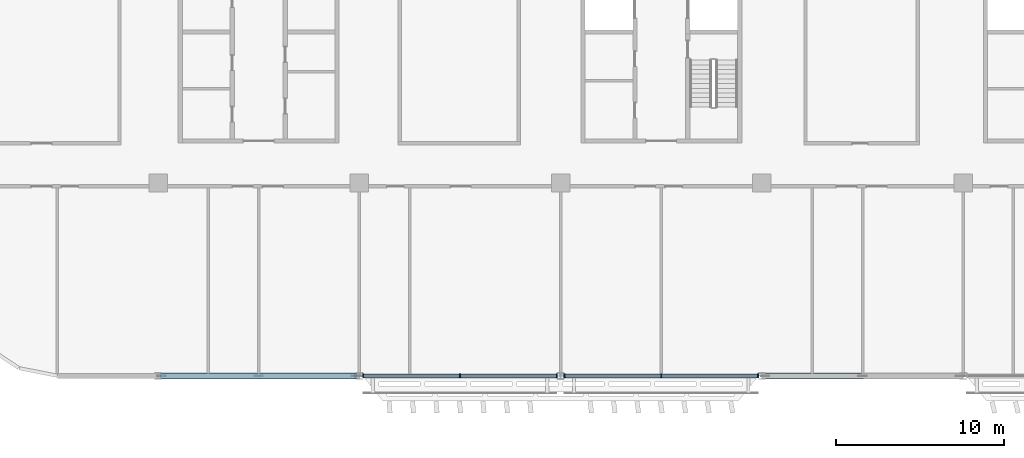
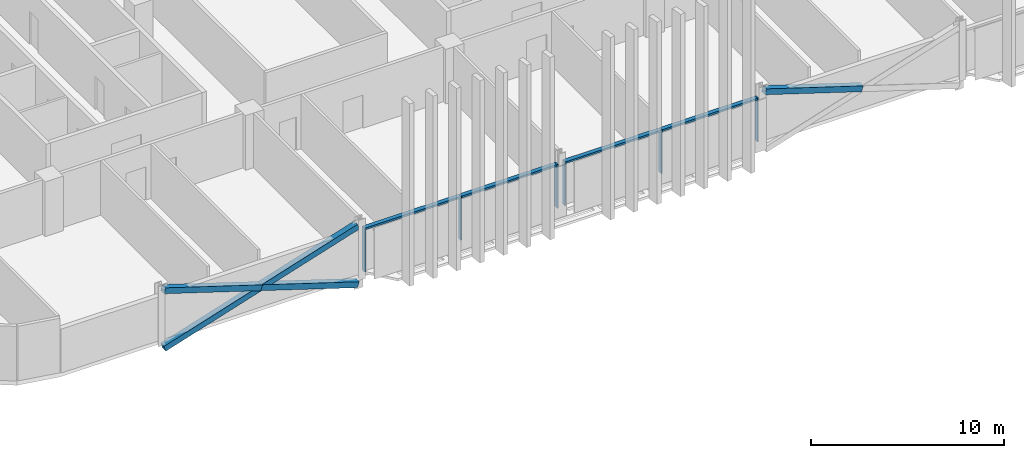
# One storey, part 3 of 28: 14 members, 2 elements without a shape of their own.
"""IFC4 building model written with IfcOpenShell, lengths in metres."""

from ifc_helpers import new_model, si_unit, direction, frame, origin, origin_2d, place, context, subcontext, project, spatial, rectangle, hollow_rectangle, extrude, material, material_profile, profile_set, type_object, element, aggregate, save


model = new_model("IFC4")

# Units and contexts
model_context = context("Model", 3, precision=1e-05, world=origin(), true_north=direction((0.0, 1.0)))
body_context = subcontext(model_context, "Body", "Model", "MODEL_VIEW")
ifc_project = project(units=[si_unit("LENGTHUNIT", "METRE"), si_unit("AREAUNIT", "SQUARE_METRE"), si_unit("VOLUMEUNIT", "CUBIC_METRE"), si_unit("PLANEANGLEUNIT", "RADIAN"), si_unit("MASSUNIT", "GRAM", prefix="KILO")], contexts=[model_context])

# Site, building, storey
site_placement = place(None, origin())
site = spatial("IfcSite", under=ifc_project, at=site_placement, CompositionType="ELEMENT")
building_placement = place(site_placement, origin())
building = spatial("IfcBuilding", under=site, at=building_placement, Name="Mahtab Terrace Research Tower", CompositionType="ELEMENT")
storey_placement = place(building_placement, frame((0.0, 0.0, 193.89990234375)))
storey = spatial("IfcBuildingStorey", under=building, at=storey_placement, Name="L46", CompositionType="ELEMENT", Elevation=193.89990234375)

# Members
ifc_material_1 = material(Name="Steel ASTM A500 Gr C", Category="steel")
ifc_material_profile_1 = material_profile(ifc_material_1, hollow_rectangle(XDim=0.355712890625, YDim=0.355712890625, WallThickness=0.015869140625, at=origin_2d()), Name="HSS14X14X5/8")
ifc_profile_set_1 = profile_set([ifc_material_profile_1], Name="Steel ASTM A500 Gr C")
member_type_1 = type_object("IfcMemberType", Name="HSS 14x14x5/8 brace XB141458", PredefinedType="BRACE", material=ifc_profile_set_1)
member_1_placement = place(storey_placement, frame((-29.79931640625, -23.0, -0.615478515625), z_axis=(0.953343380425, 0.0, 0.301888057067), x_axis=(0.0, 1.0, 0.0)))
element("IfcMember", 1, at=member_1_placement, inside=storey, type_object=member_type_1, Name="Exoskeleton brace L46 14 a", PredefinedType="BRACE", context=body_context, shape_type="SweptSolid", body=[
    extrude(hollow_rectangle(XDim=0.355712890625, YDim=0.355712890625, WallThickness=0.015869140625, at=origin_2d()), origin(), (0.0, 0.0, 1.0), 12.166259765625),
])
for number, where, z_axis, x_axis, name in (
    (2, (-18.20068359375, -23.0, -0.615478515625), (-0.953343380425, 0.0, 0.301888057067), (0.0, -1.0, 0.0), "Exoskeleton brace L46 14 b1"),
    (3, (-24.0, -23.0, 1.220947265625), (-0.953343380425, 0.0, 0.301888057067), (0.0, -1.0, 0.0), "Exoskeleton brace L46 14 b2"),
    (4, (12.0, -23.0, 1.220947265625), (-0.953343380425, 0.0, 0.301888057067), (0.0, -1.0, 0.0), "Exoskeleton brace L46 17 b2"),
):
    element("IfcMember", number, at=place(storey_placement, frame(where, z_axis=z_axis, x_axis=x_axis)), inside=storey, type_object=member_type_1, Name=name, PredefinedType="BRACE", context=body_context, shape_type="SweptSolid", body=[
        extrude(hollow_rectangle(XDim=0.355712890625, YDim=0.355712890625, WallThickness=0.015869140625, at=origin_2d()), origin(), (0.0, 0.0, 1.0), 6.083251953125),
    ])

# Curtain wall, members
ifc_material_2 = material(Name="Sky lounge full-height curtain wall")
curtain_wall_type = type_object("IfcCurtainWallType", Name="Sky lounge full-height curtain wall", PredefinedType="NOTDEFINED", material=ifc_material_2)
curtain_wall_1_placement = place(storey_placement, origin())
curtain_wall_1 = element("IfcCurtainWall", 5, at=curtain_wall_1_placement, inside=storey, type_object=curtain_wall_type, Name="EN.L46.13.25", PredefinedType="NOTDEFINED")
ifc_material_3 = material(Name="Natural anodised aluminium", Category="aluminium")
ifc_material_profile_2 = material_profile(ifc_material_3, rectangle(XDim=0.25, YDim=0.070068359375, at=origin_2d()), Name="MULLION 70x250")
ifc_profile_set_2 = profile_set([ifc_material_profile_2], Name="Natural anodised aluminium")
member_type_2 = type_object("IfcMemberType", Name="Sky lounge full-height curtain wall mullion", PredefinedType="MULLION", material=ifc_profile_set_2)
member_2_placement = place(storey_placement, frame((-17.764892578125, -23.0, 0.0), z_axis=(0.0, 0.0, 1.0), x_axis=(0.0, 1.0, 0.0)))
member_2 = element("IfcMember", 6, at=member_2_placement, type_object=member_type_2, Name="CWS-6 mullion 1", PredefinedType="MULLION", context=body_context, shape_type="SweptSolid", body=[
    extrude(rectangle(XDim=0.25, YDim=0.070068359375, at=origin_2d()), origin(), (0.0, 0.0, 1.0), 2.781982421875),
])
member_3_placement = place(storey_placement, frame((-12.0, -23.0, 0.0), z_axis=(0.0, 0.0, 1.0), x_axis=(0.0, 1.0, 0.0)))
member_3 = element("IfcMember", 7, at=member_3_placement, type_object=member_type_2, Name="CWS-6 mullion 2", PredefinedType="MULLION", context=body_context, shape_type="SweptSolid", body=[
    extrude(rectangle(XDim=0.25, YDim=0.070068359375, at=origin_2d()), origin(), (0.0, 0.0, 1.0), 2.781982421875),
])
member_4_placement = place(storey_placement, frame((-6.235107421875, -23.0, 0.0), z_axis=(0.0, 0.0, 1.0), x_axis=(0.0, 1.0, 0.0)))
member_4 = element("IfcMember", 8, at=member_4_placement, type_object=member_type_2, Name="CWS-6 mullion 3", PredefinedType="MULLION", context=body_context, shape_type="SweptSolid", body=[
    extrude(rectangle(XDim=0.25, YDim=0.070068359375, at=origin_2d()), origin(), (0.0, 0.0, 1.0), 2.781982421875),
])

curtain_wall_2_placement = place(storey_placement, origin())
curtain_wall_2 = element("IfcCurtainWall", 9, at=curtain_wall_2_placement, inside=storey, type_object=curtain_wall_type, Name="EN.L46.13.26", PredefinedType="NOTDEFINED")
member_5_placement = place(storey_placement, frame((-5.764892578125, -23.0, 0.0), z_axis=(0.0, 0.0, 1.0), x_axis=(0.0, 1.0, 0.0)))
member_5 = element("IfcMember", 10, at=member_5_placement, type_object=member_type_2, Name="CWS-6 mullion 1", PredefinedType="MULLION", context=body_context, shape_type="SweptSolid", body=[
    extrude(rectangle(XDim=0.25, YDim=0.070068359375, at=origin_2d()), origin(), (0.0, 0.0, 1.0), 2.781982421875),
])
member_6_placement = place(storey_placement, frame((0.0, -23.0, 0.0), z_axis=(0.0, 0.0, 1.0), x_axis=(0.0, 1.0, 0.0)))
member_6 = element("IfcMember", 11, at=member_6_placement, type_object=member_type_2, Name="CWS-6 mullion 2", PredefinedType="MULLION", context=body_context, shape_type="SweptSolid", body=[
    extrude(rectangle(XDim=0.25, YDim=0.070068359375, at=origin_2d()), origin(), (0.0, 0.0, 1.0), 2.781982421875),
])
member_7_placement = place(storey_placement, frame((5.764892578125, -23.0, 0.0), z_axis=(0.0, 0.0, 1.0), x_axis=(0.0, 1.0, 0.0)))
member_7 = element("IfcMember", 12, at=member_7_placement, type_object=member_type_2, Name="CWS-6 mullion 3", PredefinedType="MULLION", context=body_context, shape_type="SweptSolid", body=[
    extrude(rectangle(XDim=0.25, YDim=0.070068359375, at=origin_2d()), origin(), (0.0, 0.0, 1.0), 2.781982421875),
])

# Member
ifc_material_profile_3 = material_profile(ifc_material_3, rectangle(XDim=0.25, YDim=0.1201171875, at=origin_2d()), Name="TRANSOM 120x250")
ifc_profile_set_3 = profile_set([ifc_material_profile_3], Name="Natural anodised aluminium")
member_type_3 = type_object("IfcMemberType", Name="Sky lounge full-height curtain wall transom", PredefinedType="USERDEFINED", material=ifc_profile_set_3)
member_8_placement = place(storey_placement, frame((-17.72998046875, -23.0, 2.721923828125), z_axis=(1.0, 0.0, 0.0), x_axis=(0.0, 1.0, 0.0)))
member_8 = element("IfcMember", 13, at=member_8_placement, type_object=member_type_3, Name="CWS-6 transom 1", ObjectType="TRANSOM", PredefinedType="USERDEFINED", context=body_context, shape_type="SweptSolid", body=[
    extrude(rectangle(XDim=0.25, YDim=0.1201171875, at=origin_2d()), origin(), (0.0, 0.0, 1.0), 5.695068359375),
])

member_9_placement = place(storey_placement, frame((-11.965087890625, -23.0, 2.721923828125), z_axis=(1.0, 0.0, 0.0), x_axis=(0.0, 1.0, 0.0)))
member_9 = element("IfcMember", 14, at=member_9_placement, type_object=member_type_3, Name="CWS-6 transom 2", ObjectType="TRANSOM", PredefinedType="USERDEFINED", context=body_context, shape_type="SweptSolid", body=[
    extrude(rectangle(XDim=0.25, YDim=0.1201171875, at=origin_2d()), origin(), (0.0, 0.0, 1.0), 5.695068359375),
])

aggregate(curtain_wall_1, [member_2, member_3, member_4, member_8, member_9])

member_10_placement = place(storey_placement, frame((-5.72998046875, -23.0, 2.721923828125), z_axis=(1.0, 0.0, 0.0), x_axis=(0.0, 1.0, 0.0)))
member_10 = element("IfcMember", 15, at=member_10_placement, type_object=member_type_3, Name="CWS-6 transom 1", ObjectType="TRANSOM", PredefinedType="USERDEFINED", context=body_context, shape_type="SweptSolid", body=[
    extrude(rectangle(XDim=0.25, YDim=0.1201171875, at=origin_2d()), origin(), (0.0, 0.0, 1.0), 5.695068359375),
])

member_11_placement = place(storey_placement, frame((0.034912109375, -23.0, 2.721923828125), z_axis=(1.0, 0.0, 0.0), x_axis=(0.0, 1.0, 0.0)))
member_11 = element("IfcMember", 16, at=member_11_placement, type_object=member_type_3, Name="CWS-6 transom 2", ObjectType="TRANSOM", PredefinedType="USERDEFINED", context=body_context, shape_type="SweptSolid", body=[
    extrude(rectangle(XDim=0.25, YDim=0.1201171875, at=origin_2d()), origin(), (0.0, 0.0, 1.0), 5.695068359375),
])

aggregate(curtain_wall_2, [member_5, member_6, member_7, member_10, member_11])

save(model, "model.ifc")
